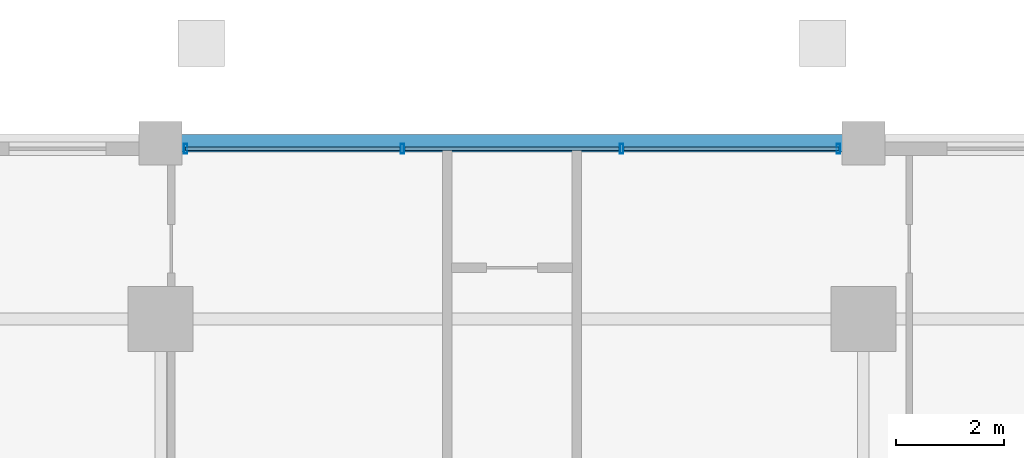
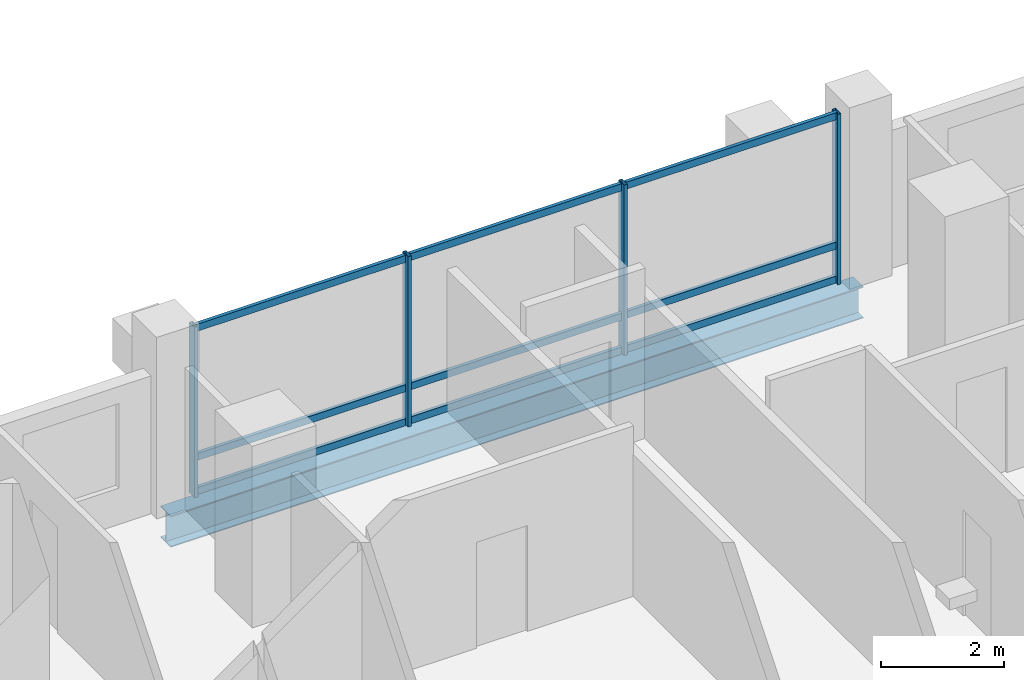
# One storey, part 10 of 20: 13 members, 1 beam, 1 element without a shape of its own.
"""IFC4 building model written with IfcOpenShell, lengths in metres."""

from ifc_helpers import new_model, si_unit, direction, frame, origin, origin_2d, place, context, subcontext, project, spatial, hollow_rectangle, i_section, extrude, material, layer, layer_set, material_profile, profile_set, type_object, element, aggregate, save


model = new_model("IFC4")

# Units and contexts
model_context = context("Model", 3, precision=1e-05, world=origin(), true_north=direction((0.0, 1.0)))
body_context = subcontext(model_context, "Body", "Model", "MODEL_VIEW")
ifc_project = project(units=[si_unit("LENGTHUNIT", "METRE"), si_unit("AREAUNIT", "SQUARE_METRE"), si_unit("VOLUMEUNIT", "CUBIC_METRE"), si_unit("PLANEANGLEUNIT", "RADIAN"), si_unit("MASSUNIT", "GRAM", prefix="KILO")], contexts=[model_context])

# Site, building, storey
site_placement = place(None, origin())
site = spatial("IfcSite", under=ifc_project, at=site_placement, CompositionType="ELEMENT")
building_placement = place(site_placement, origin())
building = spatial("IfcBuilding", under=site, at=building_placement, Name="Barlavira Tower and Art Museum", CompositionType="ELEMENT")
storey_placement = place(building_placement, frame((0.0, 0.0, 136.800048828125)))
storey = spatial("IfcBuildingStorey", under=building, at=storey_placement, Name="L34", CompositionType="ELEMENT", Elevation=136.800048828125)

# Curtain wall, members
ifc_material_1 = material(Name="Low-iron coastal laminated glass", Category="glass")
ifc_layer = layer(ifc_material_1, 0.18994140625, Name="Low-iron coastal laminated glass")
ifc_layer_set = layer_set([ifc_layer], Name="Low-iron coastal laminated glass")
curtain_wall_type = type_object("IfcCurtainWallType", Name="Pale-Metal Unitised Curtain Wall Zone 2", PredefinedType="NOTDEFINED", material=ifc_layer_set)
curtain_wall_placement = place(storey_placement, origin())
curtain_wall = element("IfcCurtainWall", 1, at=curtain_wall_placement, inside=storey, type_object=curtain_wall_type, Name="L34 Curtain Wall CW2-L34-N-B3", PredefinedType="NOTDEFINED")
ifc_material_2 = material(Name="Pale anodised aluminium", Category="aluminium")
ifc_material_profile_1 = material_profile(ifc_material_2, hollow_rectangle(XDim=0.06494140625, YDim=0.179931640625, WallThickness=0.00390625, at=origin_2d()), Name="ALU-MULL 65x180x4")
ifc_profile_set_1 = profile_set([ifc_material_profile_1], Name="Pale anodised aluminium")
member_type_1 = type_object("IfcMemberType", Name="Curtain Wall Pale-Metal Mullion 65x180", PredefinedType="MULLION", material=ifc_profile_set_1)
member_1_placement = place(storey_placement, frame((6.034912109375, 23.14990234375, 0.0), z_axis=(0.0, 0.0, 1.0), x_axis=(-1.0, 0.0, 0.0)))
member_1 = element("IfcMember", 2, at=member_1_placement, type_object=member_type_1, Name="CW2-L34-N-B3 Mullion 0", PredefinedType="MULLION", context=body_context, shape_type="SweptSolid", body=[
    extrude(hollow_rectangle(XDim=0.06494140625, YDim=0.179931640625, WallThickness=0.00390625, at=origin_2d()), origin(), (0.0, 0.0, 1.0), 3.3798828125),
])
member_2_placement = place(storey_placement, frame((2.026611328125, 23.14990234375, 0.0), z_axis=(0.0, 0.0, 1.0), x_axis=(-1.0, 0.0, 0.0)))
member_2 = element("IfcMember", 3, at=member_2_placement, type_object=member_type_1, Name="CW2-L34-N-B3 Mullion 1", PredefinedType="MULLION", context=body_context, shape_type="SweptSolid", body=[
    extrude(hollow_rectangle(XDim=0.06494140625, YDim=0.179931640625, WallThickness=0.00390625, at=origin_2d()), origin(), (0.0, 0.0, 1.0), 3.3798828125),
])
member_3_placement = place(storey_placement, frame((-2.026611328125, 23.14990234375, 0.0), z_axis=(0.0, 0.0, 1.0), x_axis=(-1.0, 0.0, 0.0)))
member_3 = element("IfcMember", 4, at=member_3_placement, type_object=member_type_1, Name="CW2-L34-N-B3 Mullion 2", PredefinedType="MULLION", context=body_context, shape_type="SweptSolid", body=[
    extrude(hollow_rectangle(XDim=0.06494140625, YDim=0.179931640625, WallThickness=0.00390625, at=origin_2d()), origin(), (0.0, 0.0, 1.0), 3.3798828125),
])
member_4_placement = place(storey_placement, frame((-6.034912109375, 23.14990234375, 0.0), z_axis=(0.0, 0.0, 1.0), x_axis=(-1.0, 0.0, 0.0)))
member_4 = element("IfcMember", 5, at=member_4_placement, type_object=member_type_1, Name="CW2-L34-N-B3 Mullion 3", PredefinedType="MULLION", context=body_context, shape_type="SweptSolid", body=[
    extrude(hollow_rectangle(XDim=0.06494140625, YDim=0.179931640625, WallThickness=0.00390625, at=origin_2d()), origin(), (0.0, 0.0, 1.0), 3.3798828125),
])
ifc_material_profile_2 = material_profile(ifc_material_2, hollow_rectangle(XDim=0.06494140625, YDim=0.139892578125, WallThickness=0.00390625, at=origin_2d()), Name="ALU-TRAN 65x140x4")
ifc_profile_set_2 = profile_set([ifc_material_profile_2], Name="Pale anodised aluminium")
member_type_2 = type_object("IfcMemberType", Name="Curtain Wall Pale-Metal Transom 65x140", PredefinedType="USERDEFINED", material=ifc_profile_set_2)
member_5_placement = place(storey_placement, frame((6.034912109375, 23.14990234375, 0.070068359375), z_axis=(-1.0, 0.0, 0.0), x_axis=(0.0, -1.0, 0.0)))
member_5 = element("IfcMember", 6, at=member_5_placement, type_object=member_type_2, Name="CW2-L34-N-B3 Transom 0.1", ObjectType="TRANSOM", PredefinedType="USERDEFINED", context=body_context, shape_type="SweptSolid", body=[
    extrude(hollow_rectangle(XDim=0.06494140625, YDim=0.139892578125, WallThickness=0.00390625, at=origin_2d()), origin(), (0.0, 0.0, 1.0), 3.963134765625),
])
member_6_placement = place(storey_placement, frame((6.034912109375, 23.14990234375, 0.743896484375), z_axis=(-1.0, 0.0, 0.0), x_axis=(0.0, -1.0, 0.0)))
member_6 = element("IfcMember", 7, at=member_6_placement, type_object=member_type_2, Name="CW2-L34-N-B3 Transom 0.2", ObjectType="TRANSOM", PredefinedType="USERDEFINED", context=body_context, shape_type="SweptSolid", body=[
    extrude(hollow_rectangle(XDim=0.06494140625, YDim=0.139892578125, WallThickness=0.00390625, at=origin_2d()), origin(), (0.0, 0.0, 1.0), 3.963134765625),
])
member_7_placement = place(storey_placement, frame((6.034912109375, 23.14990234375, 3.31005859375), z_axis=(-1.0, 0.0, 0.0), x_axis=(0.0, -1.0, 0.0)))
member_7 = element("IfcMember", 8, at=member_7_placement, type_object=member_type_2, Name="CW2-L34-N-B3 Transom 0.3", ObjectType="TRANSOM", PredefinedType="USERDEFINED", context=body_context, shape_type="SweptSolid", body=[
    extrude(hollow_rectangle(XDim=0.06494140625, YDim=0.139892578125, WallThickness=0.00390625, at=origin_2d()), origin(), (0.0, 0.0, 1.0), 3.963134765625),
])
member_8_placement = place(storey_placement, frame((1.981689453125, 23.14990234375, 0.070068359375), z_axis=(-1.0, 0.0, 0.0), x_axis=(0.0, -1.0, 0.0)))
member_8 = element("IfcMember", 9, at=member_8_placement, type_object=member_type_2, Name="CW2-L34-N-B3 Transom 1.1", ObjectType="TRANSOM", PredefinedType="USERDEFINED", context=body_context, shape_type="SweptSolid", body=[
    extrude(hollow_rectangle(XDim=0.06494140625, YDim=0.139892578125, WallThickness=0.00390625, at=origin_2d()), origin(), (0.0, 0.0, 1.0), 3.96337890625),
])
member_9_placement = place(storey_placement, frame((1.981689453125, 23.14990234375, 0.743896484375), z_axis=(-1.0, 0.0, 0.0), x_axis=(0.0, -1.0, 0.0)))
member_9 = element("IfcMember", 10, at=member_9_placement, type_object=member_type_2, Name="CW2-L34-N-B3 Transom 1.2", ObjectType="TRANSOM", PredefinedType="USERDEFINED", context=body_context, shape_type="SweptSolid", body=[
    extrude(hollow_rectangle(XDim=0.06494140625, YDim=0.139892578125, WallThickness=0.00390625, at=origin_2d()), origin(), (0.0, 0.0, 1.0), 3.96337890625),
])
member_10_placement = place(storey_placement, frame((1.981689453125, 23.14990234375, 3.31005859375), z_axis=(-1.0, 0.0, 0.0), x_axis=(0.0, -1.0, 0.0)))
member_10 = element("IfcMember", 11, at=member_10_placement, type_object=member_type_2, Name="CW2-L34-N-B3 Transom 1.3", ObjectType="TRANSOM", PredefinedType="USERDEFINED", context=body_context, shape_type="SweptSolid", body=[
    extrude(hollow_rectangle(XDim=0.06494140625, YDim=0.139892578125, WallThickness=0.00390625, at=origin_2d()), origin(), (0.0, 0.0, 1.0), 3.96337890625),
])
member_11_placement = place(storey_placement, frame((-2.07177734375, 23.14990234375, 0.070068359375), z_axis=(-1.0, 0.0, 0.0), x_axis=(0.0, -1.0, 0.0)))
member_11 = element("IfcMember", 12, at=member_11_placement, type_object=member_type_2, Name="CW2-L34-N-B3 Transom 2.1", ObjectType="TRANSOM", PredefinedType="USERDEFINED", context=body_context, shape_type="SweptSolid", body=[
    extrude(hollow_rectangle(XDim=0.06494140625, YDim=0.139892578125, WallThickness=0.00390625, at=origin_2d()), origin(), (0.0, 0.0, 1.0), 3.963134765625),
])
member_12_placement = place(storey_placement, frame((-2.07177734375, 23.14990234375, 0.743896484375), z_axis=(-1.0, 0.0, 0.0), x_axis=(0.0, -1.0, 0.0)))
member_12 = element("IfcMember", 13, at=member_12_placement, type_object=member_type_2, Name="CW2-L34-N-B3 Transom 2.2", ObjectType="TRANSOM", PredefinedType="USERDEFINED", context=body_context, shape_type="SweptSolid", body=[
    extrude(hollow_rectangle(XDim=0.06494140625, YDim=0.139892578125, WallThickness=0.00390625, at=origin_2d()), origin(), (0.0, 0.0, 1.0), 3.963134765625),
])
member_13_placement = place(storey_placement, frame((-2.07177734375, 23.14990234375, 3.31005859375), z_axis=(-1.0, 0.0, 0.0), x_axis=(0.0, -1.0, 0.0)))
member_13 = element("IfcMember", 14, at=member_13_placement, type_object=member_type_2, Name="CW2-L34-N-B3 Transom 2.3", ObjectType="TRANSOM", PredefinedType="USERDEFINED", context=body_context, shape_type="SweptSolid", body=[
    extrude(hollow_rectangle(XDim=0.06494140625, YDim=0.139892578125, WallThickness=0.00390625, at=origin_2d()), origin(), (0.0, 0.0, 1.0), 3.963134765625),
])
aggregate(curtain_wall, [member_1, member_2, member_3, member_4, member_5, member_6, member_7, member_8, member_9, member_10, member_11, member_12, member_13])

# Beam
ifc_material_3 = material(Name="Steel S355", Category="steel")
ifc_material_profile_3 = material_profile(ifc_material_3, i_section(OverallWidth=0.327880859375, OverallDepth=0.62890625, WebThickness=0.013916015625, FlangeThickness=0.021484375, at=origin_2d()), Name="W610x174.0")
ifc_profile_set_3 = profile_set([ifc_material_profile_3], Name="Steel S355")
beam_type = type_object("IfcBeamType", Name="Perimeter Spandrel Edge Beam W610x174 Steel S355", PredefinedType="SPANDREL", material=ifc_profile_set_3)
beam_placement = place(storey_placement, frame((-6.5, 23.25, -0.53466796875), z_axis=(1.0, 0.0, 0.0), x_axis=(0.0, 1.0, 0.0)))
element("IfcBeam", 15, at=beam_placement, inside=storey, type_object=beam_type, Name="L34 Spandrel 10", PredefinedType="SPANDREL", context=body_context, shape_type="SweptSolid", body=[
    extrude(i_section(OverallWidth=0.327880859375, OverallDepth=0.62890625, WebThickness=0.013916015625, FlangeThickness=0.021484375, at=origin_2d()), origin(), (0.0, 0.0, 1.0), 13.0),
])

save(model, "model.ifc")
